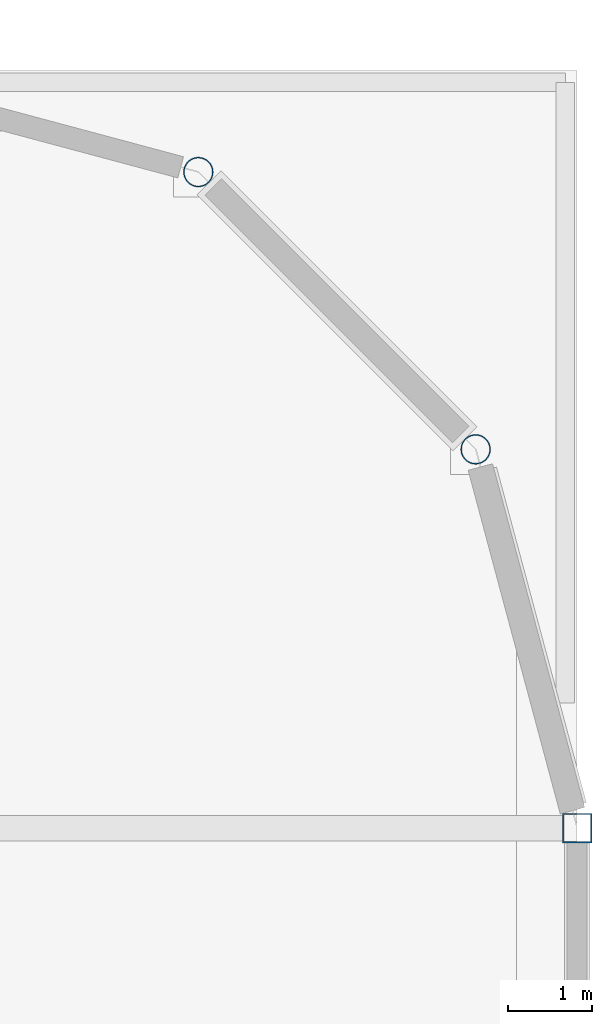
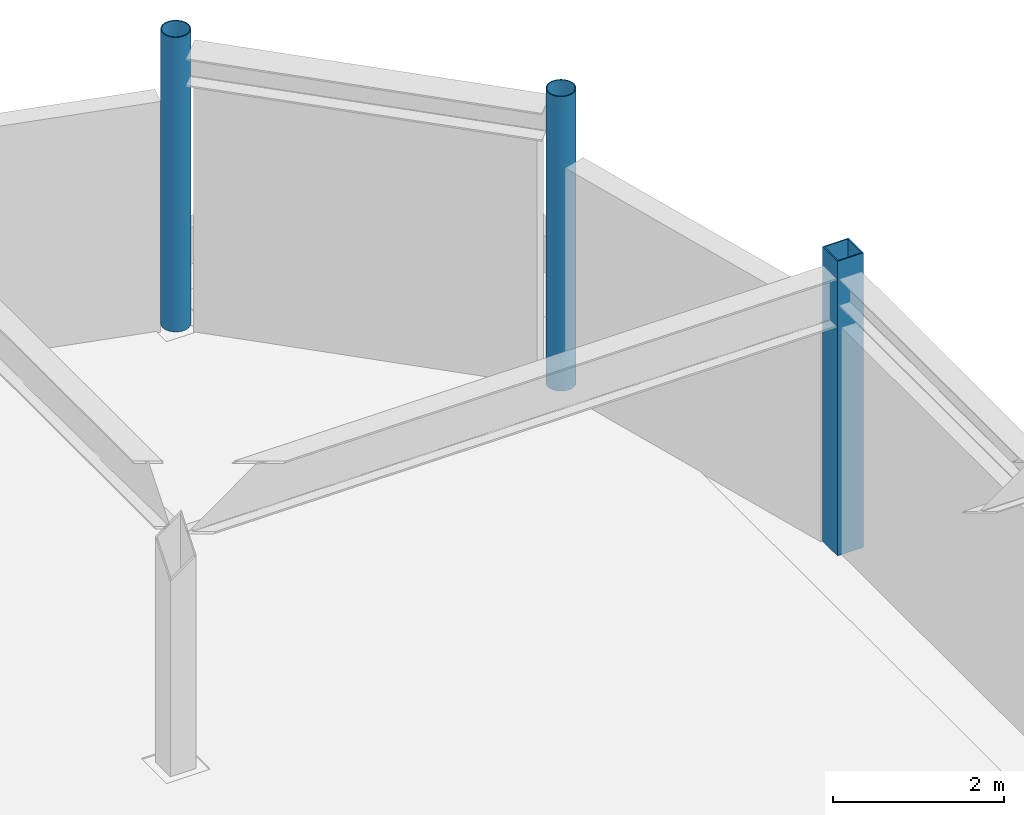
# One storey, part 7 of 40: 3 columns.
"""IFC4 building model written with IfcOpenShell, lengths in metres."""

from ifc_helpers import new_model, si_unit, direction, frame, origin, origin_2d, place, context, subcontext, project, spatial, hollow_rectangle, hollow_circle, extrude, material, material_profile, profile_set, type_object, element, save


model = new_model("IFC4")

# Units and contexts
model_context = context("Model", 3, precision=1e-05, world=origin(), true_north=direction((0.0, 1.0)))
body_context = subcontext(model_context, "Body", "Model", "MODEL_VIEW")
ifc_project = project(units=[si_unit("LENGTHUNIT", "METRE"), si_unit("AREAUNIT", "SQUARE_METRE"), si_unit("VOLUMEUNIT", "CUBIC_METRE"), si_unit("PLANEANGLEUNIT", "RADIAN"), si_unit("MASSUNIT", "GRAM", prefix="KILO")], contexts=[model_context])

# Site, building, storey
site_placement = place(None, origin())
site = spatial("IfcSite", under=ifc_project, at=site_placement, CompositionType="ELEMENT")
building_placement = place(site_placement, origin())
building = spatial("IfcBuilding", under=site, at=building_placement, Name="Suzunagisa Mobility Hub", CompositionType="ELEMENT")
storey_placement = place(building_placement, frame((0.0, 0.0, 21.89990234375)))
storey = spatial("IfcBuildingStorey", under=building, at=storey_placement, Name="L05", CompositionType="ELEMENT", Elevation=21.89990234375)

# Columns
ifc_material = material(Name="Steel SN490B", Category="steel")
ifc_material_profile_1 = material_profile(ifc_material, hollow_rectangle(XDim=0.35009765625, YDim=0.35009765625, WallThickness=0.01611328125, at=origin_2d()), Name="BCR-350x350x16")
ifc_profile_set_1 = profile_set([ifc_material_profile_1], Name="Steel SN490B")
column_type_1 = type_object("IfcColumnType", Name="Steel Column CL-04 BCR-350x350x16", PredefinedType="COLUMN", material=ifc_profile_set_1)
column_placement = place(storey_placement, frame((180.0, 89.0, 0.0), z_axis=(0.0, 0.0, 1.0), x_axis=(1.0, 0.0, 0.0)))
element("IfcColumn", 1, at=column_placement, inside=storey, type_object=column_type_1, Name="L05 Column 330", PredefinedType="COLUMN", context=body_context, shape_type="SweptSolid", body=[
    extrude(hollow_rectangle(XDim=0.35009765625, YDim=0.35009765625, WallThickness=0.01611328125, at=origin_2d()), origin(), (0.0, 0.0, 1.0), 4.2001953125),
])
ifc_material_profile_2 = material_profile(ifc_material, hollow_circle(Radius=0.177734375, WallThickness=0.0126953125, at=origin_2d()), Name="CHS-355.6x12.7")
ifc_profile_set_2 = profile_set([ifc_material_profile_2], Name="Steel SN490B")
column_type_2 = type_object("IfcColumnType", Name="Steel Column CL-18 CHS-355.6x12.7", PredefinedType="COLUMN", material=ifc_profile_set_2)
for number, where, z_axis, x_axis, name in (
    (2, (175.5, 96.794189453125, 0.0), (0.0, 0.0, 1.0), (1.0, 0.0, 0.0), "L05 Column 313"),
    (3, (178.794189453125, 93.5, 0.0), (0.0, 0.0, 1.0), (1.0, 0.0, 0.0), "L05 Column 319"),
):
    element("IfcColumn", number, at=place(storey_placement, frame(where, z_axis=z_axis, x_axis=x_axis)), inside=storey, type_object=column_type_2, Name=name, PredefinedType="COLUMN", context=body_context, shape_type="SweptSolid", body=[
        extrude(hollow_circle(Radius=0.177734375, WallThickness=0.0126953125, at=origin_2d()), origin(), (0.0, 0.0, 1.0), 4.2001953125),
    ])

save(model, "model.ifc")
